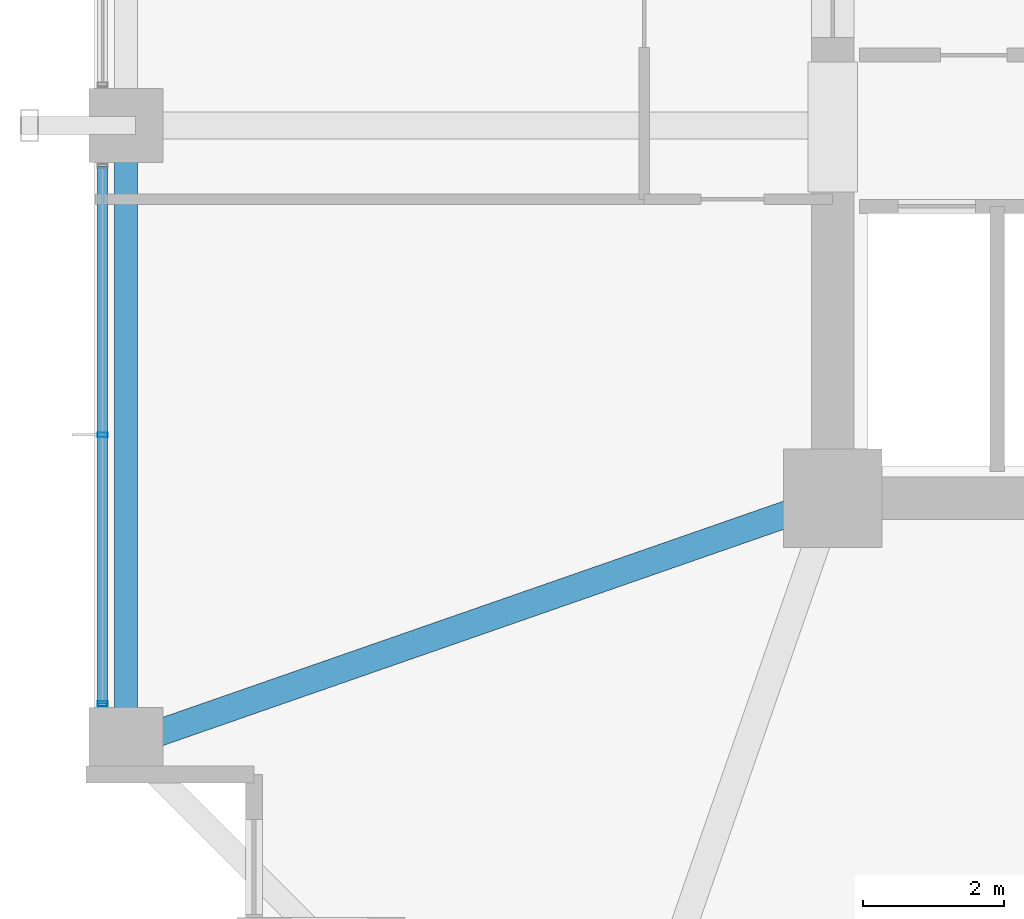
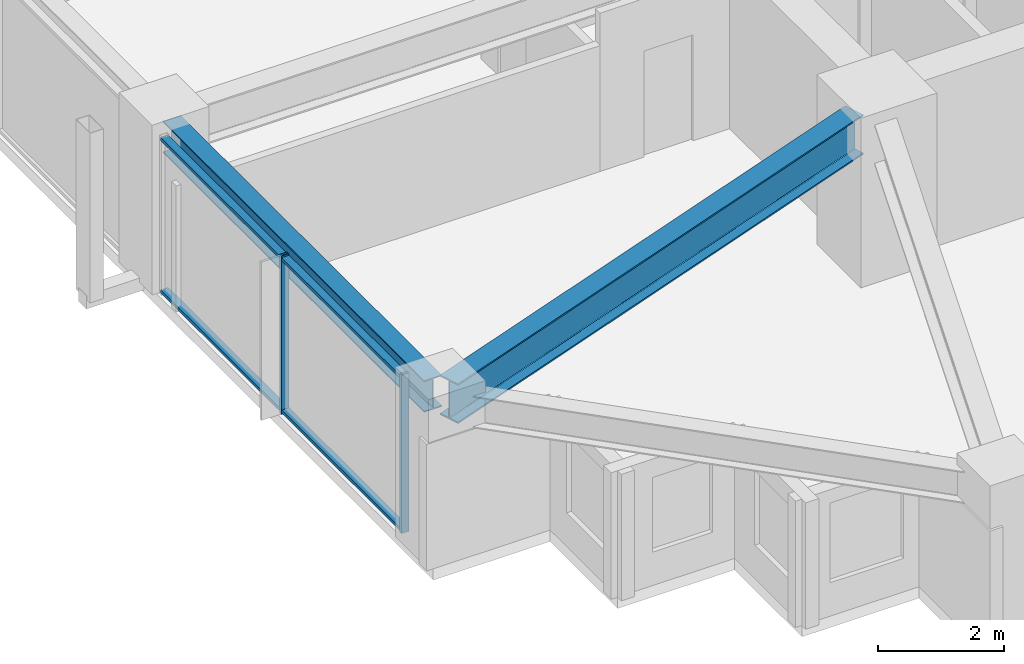
# One storey, part 3 of 38: 4 members, 2 beams, 1 element without a shape of its own.
"""IFC4 building model written with IfcOpenShell, lengths in metres."""

from ifc_helpers import new_model, si_unit, direction, frame, origin, origin_2d, place, context, subcontext, project, spatial, hollow_rectangle, i_section, extrude, material, material_profile, profile_set, type_object, element, aggregate, save


model = new_model("IFC4")

# Units and contexts
model_context = context("Model", 3, precision=1e-05, world=origin(), true_north=direction((0.0, 1.0)))
body_context = subcontext(model_context, "Body", "Model", "MODEL_VIEW")
ifc_project = project(units=[si_unit("LENGTHUNIT", "METRE"), si_unit("AREAUNIT", "SQUARE_METRE"), si_unit("VOLUMEUNIT", "CUBIC_METRE"), si_unit("PLANEANGLEUNIT", "RADIAN"), si_unit("MASSUNIT", "GRAM", prefix="KILO")], contexts=[model_context])

# Site, building, storey
site_placement = place(None, origin())
site = spatial("IfcSite", under=ifc_project, at=site_placement, CompositionType="ELEMENT")
building_placement = place(site_placement, origin())
building = spatial("IfcBuilding", under=site, at=building_placement, Name="Kolvaren Belvedere", CompositionType="ELEMENT")
storey_placement = place(building_placement, frame((0.0, 0.0, 78.800048828125)))
storey = spatial("IfcBuildingStorey", under=building, at=storey_placement, Name="L22", CompositionType="ELEMENT", Elevation=78.800048828125)

# Beams
ifc_material_1 = material(Name="Structural steel ASTM A992 Grade 50", Category="steel")
ifc_material_profile_1 = material_profile(ifc_material_1, i_section(OverallWidth=0.381103515625, OverallDepth=0.77294921875, WebThickness=0.0166015625, FlangeThickness=0.027099609375, FilletRadius=0.02392578125, at=origin_2d()), Name="W30X173")
ifc_profile_set_1 = profile_set([ifc_material_profile_1], Name="Structural steel ASTM A992 Grade 50")
beam_type_1 = type_object("IfcBeamType", Name="BM-GIRD-W30X173", PredefinedType="BEAM", material=ifc_profile_set_1)
beam_1_placement = place(storey_placement, frame((-10.41943359375, -10.080810546875, 2.693359375), z_axis=(-0.944371408538, -0.328880894453, 0.0), x_axis=(0.328880894453, -0.944371408538, 0.0)))
element("IfcBeam", 1, at=beam_1_placement, inside=storey, type_object=beam_type_1, Name="L22 Corner Core-to-Perimeter Girder CC1-W1", PredefinedType="BEAM", context=body_context, shape_type="SweptSolid", body=[
    extrude(i_section(OverallWidth=0.381103515625, OverallDepth=0.77294921875, WebThickness=0.0166015625, FlangeThickness=0.027099609375, FilletRadius=0.02392578125, at=origin_2d()), origin(), (0.0, 0.0, 1.0), 9.882080078125),
])
ifc_material_2 = material(Name="Structural steel ASTM A992 Grade 50", Category="steel")
ifc_material_profile_2 = material_profile(ifc_material_2, i_section(OverallWidth=0.324951171875, OverallDepth=0.615966796875, WebThickness=0.013916015625, FlangeThickness=0.021484375, FilletRadius=0.02001953125, at=origin_2d()), Name="W24X117")
ifc_profile_set_2 = profile_set([ifc_material_profile_2], Name="Structural steel ASTM A992 Grade 50")
beam_type_2 = type_object("IfcBeamType", Name="BM-SPAN-W24X117", PredefinedType="SPANDREL", material=ifc_profile_set_2)
beam_2_placement = place(storey_placement, frame((-19.949951171875, -4.836181640625, 2.77197265625), z_axis=(0.0, -1.0, 0.0), x_axis=(1.0, 0.0, 0.0)))
element("IfcBeam", 2, at=beam_2_placement, inside=storey, type_object=beam_type_2, Name="L22 Perimeter Spandrel W2-W1", PredefinedType="SPANDREL", context=body_context, shape_type="SweptSolid", body=[
    extrude(i_section(OverallWidth=0.324951171875, OverallDepth=0.615966796875, WebThickness=0.013916015625, FlangeThickness=0.021484375, FilletRadius=0.02001953125, at=origin_2d()), origin(), (0.0, 0.0, 1.0), 8.32763671875),
])

# Curtain wall, members
ifc_material_3 = material(Name="Anodised pale-metal aluminium AA 6063-T6", Category="aluminium")
curtain_wall_type = type_object("IfcCurtainWallType", Name="CW-Z2-MID", PredefinedType="NOTDEFINED", material=ifc_material_3)
curtain_wall_placement = place(storey_placement, origin())
curtain_wall = element("IfcCurtainWall", 3, at=curtain_wall_placement, inside=storey, type_object=curtain_wall_type, Name="L22 Unitised Curtain Wall FCW-L22-W-B1", PredefinedType="NOTDEFINED")
ifc_material_4 = material(Name="Anodised pale-metal aluminium AA 6063-T6", Category="aluminium")
ifc_material_profile_3 = material_profile(ifc_material_4, hollow_rectangle(XDim=0.06494140625, YDim=0.139892578125, WallThickness=0.00390625, at=origin_2d()), Name="ALU-MUL-140X65")
ifc_profile_set_3 = profile_set([ifc_material_profile_3], Name="Anodised pale-metal aluminium AA 6063-T6")
member_type_1 = type_object("IfcMemberType", Name="CW-MUL-140", PredefinedType="MULLION", material=ifc_profile_set_3)
member_1_placement = place(storey_placement, frame((-20.280029296875, -12.822509765625, 0.0), z_axis=(0.0, 0.0, 1.0), x_axis=(0.0, 1.0, 0.0)))
member_1 = element("IfcMember", 4, at=member_1_placement, type_object=member_type_1, Name="FCW-L22-W-B1 Unitised Mullion 1", PredefinedType="MULLION", context=body_context, shape_type="SweptSolid", body=[
    extrude(hollow_rectangle(XDim=0.06494140625, YDim=0.139892578125, WallThickness=0.00390625, at=origin_2d()), origin(), (0.0, 0.0, 1.0), 3.079833984375),
])
member_2_placement = place(storey_placement, frame((-20.280029296875, -9.0, 0.0), z_axis=(0.0, 0.0, 1.0), x_axis=(0.0, 1.0, 0.0)))
member_2 = element("IfcMember", 5, at=member_2_placement, type_object=member_type_1, Name="FCW-L22-W-B1 Unitised Mullion 2", PredefinedType="MULLION", context=body_context, shape_type="SweptSolid", body=[
    extrude(hollow_rectangle(XDim=0.06494140625, YDim=0.139892578125, WallThickness=0.00390625, at=origin_2d()), origin(), (0.0, 0.0, 1.0), 3.079833984375),
])
ifc_material_5 = material(Name="Anodised pale-metal aluminium AA 6063-T6", Category="aluminium")
ifc_material_profile_4 = material_profile(ifc_material_5, hollow_rectangle(XDim=0.06005859375, YDim=0.139892578125, WallThickness=0.00390625, at=origin_2d()), Name="ALU-TRN-140X60")
ifc_profile_set_4 = profile_set([ifc_material_profile_4], Name="Anodised pale-metal aluminium AA 6063-T6")
member_type_2 = type_object("IfcMemberType", Name="CW-TRN-140", PredefinedType="USERDEFINED", material=ifc_profile_set_4)
member_3_placement = place(storey_placement, frame((-20.280029296875, -12.822509765625, 0.06005859375), z_axis=(0.0, 1.0, 0.0), x_axis=(0.0, 0.0, 1.0)))
member_3 = element("IfcMember", 6, at=member_3_placement, type_object=member_type_2, Name="FCW-L22-W-B1 Sill Transom", ObjectType="TRANSOM", PredefinedType="USERDEFINED", context=body_context, shape_type="SweptSolid", body=[
    extrude(hollow_rectangle(XDim=0.06005859375, YDim=0.139892578125, WallThickness=0.00390625, at=origin_2d()), origin(), (0.0, 0.0, 1.0), 7.64501953125),
])
member_4_placement = place(storey_placement, frame((-20.280029296875, -12.822509765625, 3.02001953125), z_axis=(0.0, 1.0, 0.0), x_axis=(0.0, 0.0, 1.0)))
member_4 = element("IfcMember", 7, at=member_4_placement, type_object=member_type_2, Name="FCW-L22-W-B1 Head Transom", ObjectType="TRANSOM", PredefinedType="USERDEFINED", context=body_context, shape_type="SweptSolid", body=[
    extrude(hollow_rectangle(XDim=0.06005859375, YDim=0.139892578125, WallThickness=0.00390625, at=origin_2d()), origin(), (0.0, 0.0, 1.0), 7.64501953125),
])
aggregate(curtain_wall, [member_1, member_2, member_3, member_4])

save(model, "model.ifc")
